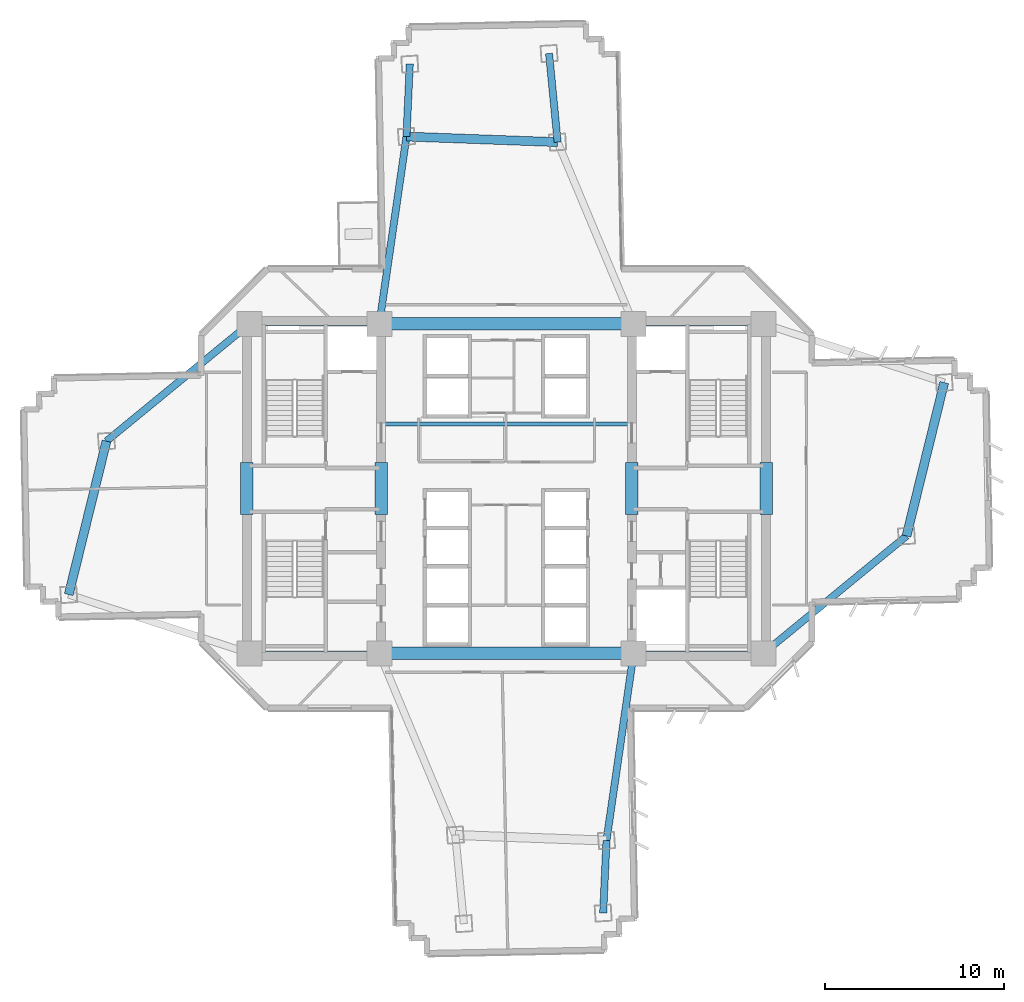
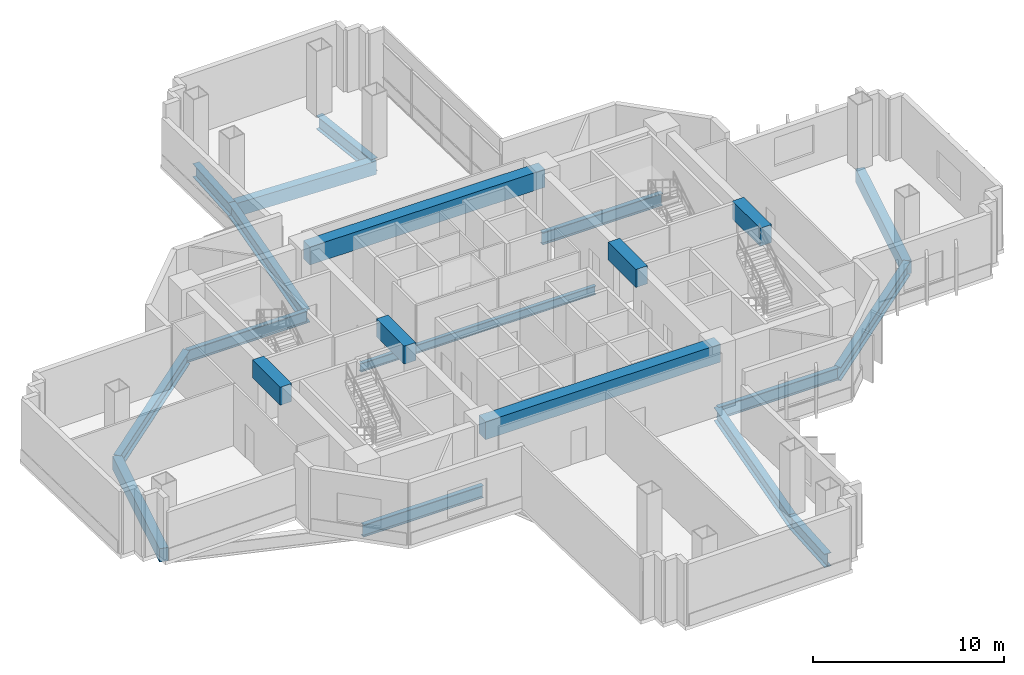
# One storey, part 3 of 15: 21 beams.
"""IFC4 building model written with IfcOpenShell, lengths in metres."""

from ifc_helpers import new_model, si_unit, direction, frame, origin, origin_2d, place, context, subcontext, project, spatial, rectangle, i_section, extrude, source, transform, mapped, material, material_profile, profile_set, type_object, element, save


model = new_model("IFC4")

# Units and contexts
model_context = context("Model", 3, precision=1e-05, world=origin(), true_north=direction((0.0, 1.0)))
body_context = subcontext(model_context, "Body", "Model", "MODEL_VIEW")
ifc_project = project(units=[si_unit("LENGTHUNIT", "METRE"), si_unit("AREAUNIT", "SQUARE_METRE"), si_unit("VOLUMEUNIT", "CUBIC_METRE"), si_unit("PLANEANGLEUNIT", "RADIAN"), si_unit("MASSUNIT", "GRAM", prefix="KILO")], contexts=[model_context])

# Site, building, storey
site_placement = place(None, origin())
site = spatial("IfcSite", under=ifc_project, at=site_placement, CompositionType="ELEMENT")
building_placement = place(site_placement, origin())
building = spatial("IfcBuilding", under=site, at=building_placement, Name="Zahravan Cultural Tower", CompositionType="ELEMENT")
storey_placement = place(building_placement, frame((0.0, 0.0, 41.699951171875)))
storey = spatial("IfcBuildingStorey", under=building, at=storey_placement, Name="L08", CompositionType="ELEMENT", Elevation=41.699951171875)

# Beams
ifc_material_1 = material(Name="Concrete C50/60", Category="concrete")
ifc_material_profile_1 = material_profile(ifc_material_1, rectangle(XDim=0.699951171875, YDim=1.14990234375, at=origin_2d()), Name="RC700X1150")
ifc_profile_set_1 = profile_set([ifc_material_profile_1], Name="Concrete C50/60")
beam_type_1 = type_object("IfcBeamType", Name="BM-LN-RC700X1150", PredefinedType="LINTEL", material=ifc_profile_set_1)
shared_shape_1 = source(origin(), body_context, "Body", "SweptSolid", [
    extrude(rectangle(XDim=0.699951171875, YDim=1.14990234375, at=origin_2d()), origin(), (0.0, 0.0, 1.0), 14.2001953125),
])
for number, where, z_axis, x_axis, name in (
    (1, (28.89990234375, 17.800048828125, 3.375), (1.0, 0.0, 0.0), (0.0, 1.0, 0.0), "L08 Beam LN-L08-S"),
    (2, (28.89990234375, 36.199951171875, 3.375), (1.0, 0.0, 0.0), (0.0, 1.0, 0.0), "L08 Beam LN-L08-N"),
):
    element("IfcBeam", number, at=place(storey_placement, frame(where, z_axis=z_axis, x_axis=x_axis)), inside=storey, type_object=beam_type_1, Name=name, PredefinedType="LINTEL", context=body_context, shape_type="MappedRepresentation", body=[
        mapped(shared_shape_1, transform((0.0, 0.0, 0.0), x_axis=(1.0, 0.0, 0.0), y_axis=(0.0, 1.0, 0.0), z_axis=(0.0, 0.0, 1.0), scale=1.0)),
    ])
shared_shape_2 = source(origin(), body_context, "Body", "SweptSolid", [
    extrude(rectangle(XDim=0.699951171875, YDim=1.14990234375, at=origin_2d()), origin(), (0.0, 0.0, 1.0), 2.89990234375),
])
for number, where, z_axis, x_axis, name in (
    (3, (21.5, 25.550048828125, 3.375), (0.0, 1.0, 0.0), (-1.0, 0.0, 0.0), "L08 Beam LN-L08-PWW"),
    (4, (29.0, 25.550048828125, 3.375), (0.0, 1.0, 0.0), (-1.0, 0.0, 0.0), "L08 Beam LN-L08-PWE"),
    (5, (43.0, 25.550048828125, 3.375), (0.0, 1.0, 0.0), (-1.0, 0.0, 0.0), "L08 Beam LN-L08-PEW"),
    (6, (50.5, 25.550048828125, 3.375), (0.0, 1.0, 0.0), (-1.0, 0.0, 0.0), "L08 Beam LN-L08-PEE"),
):
    element("IfcBeam", number, at=place(storey_placement, frame(where, z_axis=z_axis, x_axis=x_axis)), inside=storey, type_object=beam_type_1, Name=name, PredefinedType="LINTEL", context=body_context, shape_type="MappedRepresentation", body=[
        mapped(shared_shape_2, transform((0.0, 0.0, 0.0), x_axis=(1.0, 0.0, 0.0), y_axis=(0.0, 1.0, 0.0), z_axis=(0.0, 0.0, 1.0), scale=1.0)),
    ])
ifc_material_2 = material(Name="Steel ASTM A992 Grade 50", Category="steel")
ifc_material_profile_2 = material_profile(ifc_material_2, i_section(OverallWidth=0.26611328125, OverallDepth=0.780029296875, WebThickness=0.0166015625, FlangeThickness=0.030029296875, FilletRadius=0.01904296875, at=origin_2d()), Name="W30X148")
ifc_profile_set_2 = profile_set([ifc_material_profile_2], Name="Steel ASTM A992 Grade 50")
beam_type_2 = type_object("IfcBeamType", Name="BM-G-W30X148", PredefinedType="BEAM", material=ifc_profile_set_2)
shared_shape_3 = source(origin(), body_context, "Body", "SweptSolid", [
    extrude(i_section(OverallWidth=0.26611328125, OverallDepth=0.780029296875, WebThickness=0.0166015625, FlangeThickness=0.030029296875, FilletRadius=0.01904296875, at=origin_2d()), origin(), (0.0, 0.0, 1.0), 7.25),
])
for number, where, z_axis, x_axis, name in (
    (7, (21.64990234375, 17.800048828125, -0.639892578125), (1.0, 0.0, 0.0), (0.0, 1.0, 0.0), "L08 Beam BG-L08-01"),
    (8, (21.64990234375, 36.199951171875, -0.639892578125), (1.0, 0.0, 0.0), (0.0, 1.0, 0.0), "L08 Beam BG-L08-02"),
    (9, (43.10009765625, 17.800048828125, -0.639892578125), (1.0, 0.0, 0.0), (0.0, 1.0, 0.0), "L08 Beam BG-L08-04"),
    (10, (43.10009765625, 36.199951171875, -0.639892578125), (1.0, 0.0, 0.0), (0.0, 1.0, 0.0), "L08 Beam BG-L08-05"),
):
    element("IfcBeam", number, at=place(storey_placement, frame(where, z_axis=z_axis, x_axis=x_axis)), inside=storey, type_object=beam_type_2, Name=name, PredefinedType="BEAM", context=body_context, shape_type="MappedRepresentation", body=[
        mapped(shared_shape_3, transform((0.0, 0.0, 0.0), x_axis=(1.0, 0.0, 0.0), y_axis=(0.0, 1.0, 0.0), z_axis=(0.0, 0.0, 1.0), scale=1.0)),
    ])
ifc_material_profile_3 = material_profile(ifc_material_1, rectangle(XDim=0.5, YDim=0.85009765625, at=origin_2d()), Name="RC500X850")
ifc_profile_set_3 = profile_set([ifc_material_profile_3], Name="Concrete C50/60")
beam_type_3 = type_object("IfcBeamType", Name="BM-SP-RC500X850", PredefinedType="SPANDREL", material=ifc_profile_set_3)
shared_shape_4 = source(origin(), body_context, "Body", "SweptSolid", [
    extrude(rectangle(XDim=0.5, YDim=0.85009765625, at=origin_2d()), origin(), (0.0, 0.0, 1.0), 8.4482421875),
])
beam_1_placement = place(storey_placement, frame((38.857421875, 46.346435546875, -0.675048828125), z_axis=(-0.999318826256, 0.036903705643, 0.0), x_axis=(-0.036903705643, -0.999318826256, 0.0)))
element("IfcBeam", 11, at=beam_1_placement, inside=storey, type_object=beam_type_3, Name="L08 Beam SP-L08-21", PredefinedType="SPANDREL", context=body_context, shape_type="MappedRepresentation", body=[
    mapped(shared_shape_4, transform((0.0, 0.0, 0.0), x_axis=(1.0, 0.0, 0.0), y_axis=(0.0, 1.0, 0.0), z_axis=(0.0, 0.0, 1.0), scale=1.0)),
])
shared_shape_5 = source(origin(), body_context, "Body", "SweptSolid", [
    extrude(rectangle(XDim=0.5, YDim=0.85009765625, at=origin_2d()), origin(), (0.0, 0.0, 1.0), 8.8232421875),
])
for number, where, z_axis, x_axis, name in (
    (12, (58.339111328125, 24.351806640625, -0.675048828125), (0.238848860516, 0.971056755206, 0.0), (-0.971056755206, 0.238848860516, 0.0), "L08 Beam SP-L08-20"),
    (13, (13.660888671875, 29.648193359375, -0.675048828125), (-0.238848860516, -0.971056755206, 0.0), (0.971056755206, -0.238848860516, 0.0), "L08 Beam SP-L08-22"),
):
    element("IfcBeam", number, at=place(storey_placement, frame(where, z_axis=z_axis, x_axis=x_axis)), inside=storey, type_object=beam_type_3, Name=name, PredefinedType="SPANDREL", context=body_context, shape_type="MappedRepresentation", body=[
        mapped(shared_shape_5, transform((0.0, 0.0, 0.0), x_axis=(1.0, 0.0, 0.0), y_axis=(0.0, 1.0, 0.0), z_axis=(0.0, 0.0, 1.0), scale=1.0)),
    ])
ifc_material_profile_4 = material_profile(ifc_material_2, i_section(OverallWidth=0.39990234375, OverallDepth=0.862060546875, WebThickness=0.019775390625, FlangeThickness=0.032470703125, FilletRadius=0.02001953125, at=origin_2d()), Name="W33X221")
ifc_profile_set_4 = profile_set([ifc_material_profile_4], Name="Steel ASTM A992 Grade 50")
beam_type_4 = type_object("IfcBeamType", Name="BM-G-W33X221", PredefinedType="BEAM", material=ifc_profile_set_4)
shared_shape_6 = source(origin(), body_context, "Body", "SweptSolid", [
    extrude(i_section(OverallWidth=0.39990234375, OverallDepth=0.862060546875, WebThickness=0.019775390625, FlangeThickness=0.032470703125, FilletRadius=0.02001953125, at=origin_2d()), origin(), (0.0, 0.0, 1.0), 10.5673828125),
])
for number, where, z_axis, x_axis, name in (
    (14, (43.10009765625, 17.800048828125, -0.680908203125), (-0.143377913539, -0.989668011966, 0.0), (0.989668011966, -0.143377913539, 0.0), "L08 Beam BG-L08-09"),
    (15, (28.89990234375, 36.199951171875, -0.680908203125), (0.143377913539, 0.989668011966, 0.0), (-0.989668011966, 0.143377913539, 0.0), "L08 Beam BG-L08-13"),
):
    element("IfcBeam", number, at=place(storey_placement, frame(where, z_axis=z_axis, x_axis=x_axis)), inside=storey, type_object=beam_type_4, Name=name, PredefinedType="BEAM", context=body_context, shape_type="MappedRepresentation", body=[
        mapped(shared_shape_6, transform((0.0, 0.0, 0.0), x_axis=(1.0, 0.0, 0.0), y_axis=(0.0, 1.0, 0.0), z_axis=(0.0, 0.0, 1.0), scale=1.0)),
    ])
shared_shape_7 = source(origin(), body_context, "Body", "SweptSolid", [
    extrude(i_section(OverallWidth=0.39990234375, OverallDepth=0.862060546875, WebThickness=0.019775390625, FlangeThickness=0.032470703125, FilletRadius=0.02001953125, at=origin_2d()), origin(), (0.0, 0.0, 1.0), 10.33203125),
])
for number, where, z_axis, x_axis, name in (
    (16, (50.35009765625, 17.800048828125, -0.680908203125), (0.773231409473, 0.634123952713, 0.0), (-0.634123952713, 0.773231409473, 0.0), "L08 Beam BG-L08-10"),
    (17, (21.64990234375, 36.199951171875, -0.680908203125), (-0.773231409473, -0.634123952713, 0.0), (0.634123952713, -0.773231409473, 0.0), "L08 Beam BG-L08-14"),
):
    element("IfcBeam", number, at=place(storey_placement, frame(where, z_axis=z_axis, x_axis=x_axis)), inside=storey, type_object=beam_type_4, Name=name, PredefinedType="BEAM", context=body_context, shape_type="MappedRepresentation", body=[
        mapped(shared_shape_7, transform((0.0, 0.0, 0.0), x_axis=(1.0, 0.0, 0.0), y_axis=(0.0, 1.0, 0.0), z_axis=(0.0, 0.0, 1.0), scale=1.0)),
    ])
shared_shape_8 = source(origin(), body_context, "Body", "SweptSolid", [
    extrude(i_section(OverallWidth=0.39990234375, OverallDepth=0.862060546875, WebThickness=0.019775390625, FlangeThickness=0.032470703125, FilletRadius=0.02001953125, at=origin_2d()), origin(), (0.0, 0.0, 1.0), 4.973876953125),
])
beam_2_placement = place(storey_placement, frame((38.857421875, 46.346435546875, -0.680908203125), z_axis=(-0.096154779131, 0.995366394073, 0.0), x_axis=(-0.995366394073, -0.096154779131, 0.0)))
element("IfcBeam", 18, at=beam_2_placement, inside=storey, type_object=beam_type_4, Name="L08 Beam BG-L08-15", PredefinedType="BEAM", context=body_context, shape_type="MappedRepresentation", body=[
    mapped(shared_shape_8, transform((0.0, 0.0, 0.0), x_axis=(1.0, 0.0, 0.0), y_axis=(0.0, 1.0, 0.0), z_axis=(0.0, 0.0, 1.0), scale=1.0)),
])
shared_shape_9 = source(origin(), body_context, "Body", "SweptSolid", [
    extrude(i_section(OverallWidth=0.39990234375, OverallDepth=0.862060546875, WebThickness=0.019775390625, FlangeThickness=0.032470703125, FilletRadius=0.02001953125, at=origin_2d()), origin(), (0.0, 0.0, 1.0), 4.0537109375),
])
for number, where, z_axis, x_axis, name in (
    (19, (30.4150390625, 46.658203125, -0.680908203125), (0.045770994677, 0.998951958828, 0.0), (-0.998951958828, 0.045770994677, 0.0), "L08 Beam BG-L08-16"),
    (20, (41.5849609375, 7.341796875, -0.680908203125), (-0.045770994677, -0.998951958828, 0.0), (0.998951958828, -0.045770994677, 0.0), "L08 Beam BG-L08-18"),
):
    element("IfcBeam", number, at=place(storey_placement, frame(where, z_axis=z_axis, x_axis=x_axis)), inside=storey, type_object=beam_type_4, Name=name, PredefinedType="BEAM", context=body_context, shape_type="MappedRepresentation", body=[
        mapped(shared_shape_9, transform((0.0, 0.0, 0.0), x_axis=(1.0, 0.0, 0.0), y_axis=(0.0, 1.0, 0.0), z_axis=(0.0, 0.0, 1.0), scale=1.0)),
    ])
ifc_material_profile_5 = material_profile(ifc_material_2, i_section(OverallWidth=0.214111328125, OverallDepth=0.549072265625, WebThickness=0.0146484375, FlangeThickness=0.023681640625, FilletRadius=0.013916015625, at=origin_2d()), Name="W21X93")
ifc_profile_set_5 = profile_set([ifc_material_profile_5], Name="Steel ASTM A992 Grade 50")
beam_type_5 = type_object("IfcBeamType", Name="BM-J-W21X93", PredefinedType="JOIST", material=ifc_profile_set_5)
shared_shape_10 = source(origin(), body_context, "Body", "SweptSolid", [
    extrude(i_section(OverallWidth=0.214111328125, OverallDepth=0.549072265625, WebThickness=0.0146484375, FlangeThickness=0.023681640625, FilletRadius=0.013916015625, at=origin_2d()), origin(), (0.0, 0.0, 1.0), 14.2001953125),
])
beam_3_placement = place(storey_placement, frame((28.89990234375, 30.60009765625, -0.5244140625), z_axis=(1.0, 0.0, 0.0), x_axis=(0.0, 1.0, 0.0)))
element("IfcBeam", 21, at=beam_3_placement, inside=storey, type_object=beam_type_5, Name="L08 Beam BJ-L08-23", PredefinedType="JOIST", context=body_context, shape_type="MappedRepresentation", body=[
    mapped(shared_shape_10, transform((0.0, 0.0, 0.0), x_axis=(1.0, 0.0, 0.0), y_axis=(0.0, 1.0, 0.0), z_axis=(0.0, 0.0, 1.0), scale=1.0)),
])

save(model, "model.ifc")
